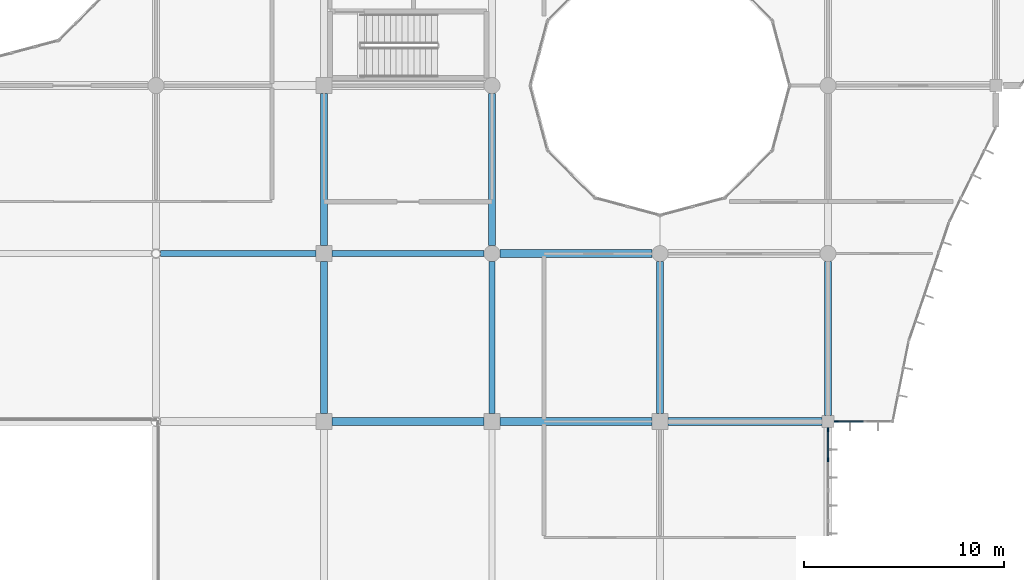
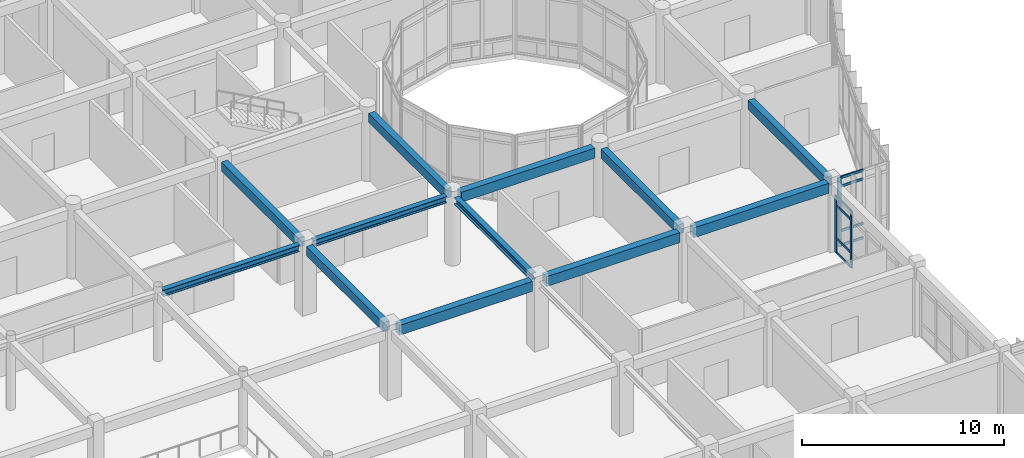
# One storey, part 28 of 144: 12 beams, 11 members, 2 elements without a shape of their own.
"""IFC4 building model written with IfcOpenShell, lengths in metres."""

from ifc_helpers import new_model, si_unit, direction, frame, origin, origin_2d, place, context, subcontext, project, spatial, rectangle, i_section, extrude, material, layer, layer_set, material_profile, profile_set, type_object, element, aggregate, save


model = new_model("IFC4")

# Units and contexts
model_context = context("Model", 3, precision=1e-05, world=origin(), true_north=direction((0.0, 1.0)))
body_context = subcontext(model_context, "Body", "Model", "MODEL_VIEW")
ifc_project = project(units=[si_unit("LENGTHUNIT", "METRE"), si_unit("AREAUNIT", "SQUARE_METRE"), si_unit("VOLUMEUNIT", "CUBIC_METRE"), si_unit("PLANEANGLEUNIT", "RADIAN"), si_unit("MASSUNIT", "GRAM", prefix="KILO")], contexts=[model_context])

# Site, building, storey
site_placement = place(None, origin())
site = spatial("IfcSite", under=ifc_project, at=site_placement, CompositionType="ELEMENT")
building_placement = place(site_placement, origin())
building = spatial("IfcBuilding", under=site, at=building_placement, Name="Bramfleet General Hospital", CompositionType="ELEMENT")
storey_placement = place(building_placement, frame((0.0, 0.0, 4.800048828125)))
storey = spatial("IfcBuildingStorey", under=building, at=storey_placement, Name="L01", CompositionType="ELEMENT", Elevation=4.800048828125)

# Beams
ifc_material_1 = material(Name="Steel S355", Category="steel")
ifc_material_profile_1 = material_profile(ifc_material_1, i_section(OverallWidth=0.300048828125, OverallDepth=0.389892578125, WebThickness=0.010986328125, FlangeThickness=0.01904296875, FilletRadius=0.027099609375, at=origin_2d()), Name="HEA 400")
ifc_profile_set_1 = profile_set([ifc_material_profile_1], Name="Steel S355")
beam_type_1 = type_object("IfcBeamType", Name="BM-HEA400", PredefinedType="BEAM", material=ifc_profile_set_1)
beam_1_placement = place(storey_placement, frame((92.62841796875, 58.800048828125, 3.954833984375), z_axis=(1.0, 0.0, 0.0), x_axis=(0.0, 1.0, 0.0)))
element("IfcBeam", 1, at=beam_1_placement, inside=storey, type_object=beam_type_1, Name="L01 Grid Beam X 11-07", PredefinedType="BEAM", context=body_context, shape_type="SweptSolid", body=[
    extrude(i_section(OverallWidth=0.300048828125, OverallDepth=0.389892578125, WebThickness=0.010986328125, FlangeThickness=0.01904296875, FilletRadius=0.027099609375, at=origin_2d()), origin(), (0.0, 0.0, 1.0), 7.771484375),
])
beam_2_placement = place(storey_placement, frame((101.199951171875, 58.800048828125, 3.954833984375), z_axis=(1.0, 0.0, 0.0), x_axis=(0.0, 1.0, 0.0)))
element("IfcBeam", 2, at=beam_2_placement, inside=storey, type_object=beam_type_1, Name="L01 Grid Beam X 12-07", PredefinedType="BEAM", context=body_context, shape_type="SweptSolid", body=[
    extrude(i_section(OverallWidth=0.300048828125, OverallDepth=0.389892578125, WebThickness=0.010986328125, FlangeThickness=0.01904296875, FilletRadius=0.027099609375, at=origin_2d()), origin(), (0.0, 0.0, 1.0), 7.60009765625),
])
ifc_material_profile_2 = material_profile(ifc_material_1, i_section(OverallWidth=0.300048828125, OverallDepth=0.39990234375, WebThickness=0.013427734375, FlangeThickness=0.02392578125, FilletRadius=0.027099609375, at=origin_2d()), Name="HEB 400")
ifc_profile_set_2 = profile_set([ifc_material_profile_2], Name="Steel S355")
beam_type_2 = type_object("IfcBeamType", Name="BM-HEB400", PredefinedType="BEAM", material=ifc_profile_set_2)
beam_3_placement = place(storey_placement, frame((109.199951171875, 50.800048828125, 3.949951171875), z_axis=(0.0, 1.0, 0.0), x_axis=(-1.0, 0.0, 0.0)))
element("IfcBeam", 3, at=beam_3_placement, inside=storey, type_object=beam_type_2, Name="L01 Grid Beam Y 13-06", PredefinedType="BEAM", context=body_context, shape_type="SweptSolid", body=[
    extrude(i_section(OverallWidth=0.300048828125, OverallDepth=0.39990234375, WebThickness=0.013427734375, FlangeThickness=0.02392578125, FilletRadius=0.027099609375, at=origin_2d()), origin(), (0.0, 0.0, 1.0), 7.599853515625),
])
ifc_material_2 = material(Name="Concrete C35/45", Category="concrete")
ifc_material_profile_3 = material_profile(ifc_material_2, rectangle(XDim=0.35009765625, YDim=0.550048828125, at=origin_2d()), Name="RC BM 550x350")
ifc_profile_set_3 = profile_set([ifc_material_profile_3], Name="Concrete C35/45")
beam_type_3 = type_object("IfcBeamType", Name="BM-RC550", PredefinedType="BEAM", material=ifc_profile_set_3)
beam_4_placement = place(storey_placement, frame((100.800048828125, 50.800048828125, 3.875), z_axis=(0.0, 1.0, 0.0), x_axis=(-1.0, 0.0, 0.0)))
element("IfcBeam", 4, at=beam_4_placement, inside=storey, type_object=beam_type_3, Name="L01 Grid Beam Y 12-06", PredefinedType="BEAM", context=body_context, shape_type="SweptSolid", body=[
    extrude(rectangle(XDim=0.35009765625, YDim=0.550048828125, at=origin_2d()), origin(), (0.0, 0.0, 1.0), 7.599853515625),
])
for number, where, z_axis, x_axis, name in (
    (5, (100.800048828125, 59.199951171875, 3.875), (0.0, 1.0, 0.0), (-1.0, 0.0, 0.0), "L01 Grid Beam Y 12-07"),
    (6, (109.199951171875, 59.199951171875, 3.875), (0.0, 1.0, 0.0), (-1.0, 0.0, 0.0), "L01 Grid Beam Y 13-07"),
):
    element("IfcBeam", number, at=place(storey_placement, frame(where, z_axis=z_axis, x_axis=x_axis)), inside=storey, type_object=beam_type_3, Name=name, PredefinedType="BEAM", context=body_context, shape_type="SweptSolid", body=[
        extrude(rectangle(XDim=0.35009765625, YDim=0.550048828125, at=origin_2d()), origin(), (0.0, 0.0, 1.0), 7.60009765625),
    ])
beam_5_placement = place(storey_placement, frame((117.60009765625, 50.800048828125, 3.875), z_axis=(0.0, 1.0, 0.0), x_axis=(-1.0, 0.0, 0.0)))
element("IfcBeam", 7, at=beam_5_placement, inside=storey, type_object=beam_type_3, Name="L01 Grid Beam Y 14-06", PredefinedType="BEAM", context=body_context, shape_type="SweptSolid", body=[
    extrude(rectangle(XDim=0.35009765625, YDim=0.550048828125, at=origin_2d()), origin(), (0.0, 0.0, 1.0), 7.599853515625),
])
beam_6_placement = place(storey_placement, frame((126.0, 50.699951171875, 3.875), z_axis=(0.0, 1.0, 0.0), x_axis=(-1.0, 0.0, 0.0)))
element("IfcBeam", 8, at=beam_6_placement, inside=storey, type_object=beam_type_3, Name="L01 Grid Beam Y 15-06", PredefinedType="BEAM", context=body_context, shape_type="SweptSolid", body=[
    extrude(rectangle(XDim=0.35009765625, YDim=0.550048828125, at=origin_2d()), origin(), (0.0, 0.0, 1.0), 7.699951171875),
])
ifc_material_profile_4 = material_profile(ifc_material_2, rectangle(XDim=0.39990234375, YDim=0.60009765625, at=origin_2d()), Name="RC BM 600x400")
ifc_profile_set_4 = profile_set([ifc_material_profile_4], Name="Concrete C35/45")
beam_type_4 = type_object("IfcBeamType", Name="BM-RC600", PredefinedType="BEAM", material=ifc_profile_set_4)
beam_7_placement = place(storey_placement, frame((101.199951171875, 50.39990234375, 3.849853515625), z_axis=(1.0, 0.0, 0.0), x_axis=(0.0, 1.0, 0.0)))
element("IfcBeam", 9, at=beam_7_placement, inside=storey, type_object=beam_type_4, Name="L01 Grid Beam X 12-06", PredefinedType="BEAM", context=body_context, shape_type="SweptSolid", body=[
    extrude(rectangle(XDim=0.39990234375, YDim=0.60009765625, at=origin_2d()), origin(), (0.0, 0.0, 1.0), 7.60009765625),
])
for number, where, z_axis, x_axis, name in (
    (10, (109.60009765625, 50.39990234375, 3.849853515625), (1.0, 0.0, 0.0), (0.0, 1.0, 0.0), "L01 Grid Beam X 13-06"),
    (11, (109.60009765625, 58.800048828125, 3.849853515625), (1.0, 0.0, 0.0), (0.0, 1.0, 0.0), "L01 Grid Beam X 13-07"),
):
    element("IfcBeam", number, at=place(storey_placement, frame(where, z_axis=z_axis, x_axis=x_axis)), inside=storey, type_object=beam_type_4, Name=name, PredefinedType="BEAM", context=body_context, shape_type="SweptSolid", body=[
        extrude(rectangle(XDim=0.39990234375, YDim=0.60009765625, at=origin_2d()), origin(), (0.0, 0.0, 1.0), 7.599853515625),
    ])
beam_8_placement = place(storey_placement, frame((118.0, 50.39990234375, 3.849853515625), z_axis=(1.0, 0.0, 0.0), x_axis=(0.0, 1.0, 0.0)))
element("IfcBeam", 12, at=beam_8_placement, inside=storey, type_object=beam_type_4, Name="L01 Grid Beam X 14-06", PredefinedType="BEAM", context=body_context, shape_type="SweptSolid", body=[
    extrude(rectangle(XDim=0.39990234375, YDim=0.60009765625, at=origin_2d()), origin(), (0.0, 0.0, 1.0), 7.699951171875),
])

# Curtain wall, member
ifc_material_3 = material(Name="Anodised aluminium and low-E triple glazing", Category="aluminium")
ifc_layer_1 = layer(ifc_material_3, 0.179931640625, Name="CWT-CW-08")
ifc_layer_set_1 = layer_set([ifc_layer_1], Name="Anodised aluminium and low-E triple glazing")
curtain_wall_type_1 = type_object("IfcCurtainWallType", Name="CWT-CW-08", PredefinedType="USERDEFINED", material=ifc_layer_set_1)
curtain_wall_1_placement = place(storey_placement, origin())
curtain_wall_1 = element("IfcCurtainWall", 13, at=curtain_wall_1_placement, inside=storey, type_object=curtain_wall_type_1, Name="L01 Curtain Wall 62", ObjectType="Unitised curtain wall", PredefinedType="USERDEFINED")
ifc_material_4 = material(Name="Structural timber GL28h", Category="wood")
ifc_material_profile_5 = material_profile(ifc_material_4, rectangle(XDim=0.070068359375, YDim=0.18994140625, at=origin_2d()), Name="LARCH 190x70")
ifc_profile_set_5 = profile_set([ifc_material_profile_5], Name="Structural timber GL28h")
member_type_1 = type_object("IfcMemberType", Name="CWM-LARCH450", PredefinedType="MULLION", material=ifc_profile_set_5)
member_1_placement = place(storey_placement, frame((126.409912109375, 50.39990234375, 0.0), z_axis=(0.0, 0.0, 1.0), x_axis=(0.0, -1.0, 0.0)))
member_1 = element("IfcMember", 14, at=member_1_placement, type_object=member_type_1, Name="CW-08 mullion 3", PredefinedType="MULLION", context=body_context, shape_type="SweptSolid", body=[
    extrude(rectangle(XDim=0.070068359375, YDim=0.18994140625, at=origin_2d()), origin(), (0.0, 0.0, 1.0), 4.139892578125),
])

# Curtain wall, members
ifc_layer_2 = layer(ifc_material_3, 0.179931640625, Name="CWT-CW-09")
ifc_layer_set_2 = layer_set([ifc_layer_2], Name="Anodised aluminium and low-E triple glazing")
curtain_wall_type_2 = type_object("IfcCurtainWallType", Name="CWT-CW-09", PredefinedType="USERDEFINED", material=ifc_layer_set_2)
curtain_wall_2_placement = place(storey_placement, origin())
curtain_wall_2 = element("IfcCurtainWall", 15, at=curtain_wall_2_placement, inside=storey, type_object=curtain_wall_type_2, Name="L01 Curtain Wall 63", ObjectType="Unitised curtain wall", PredefinedType="USERDEFINED")
member_2_placement = place(storey_placement, frame((126.0, 49.989990234375, 0.0), z_axis=(0.0, 0.0, 1.0), x_axis=(1.0, 0.0, 0.0)))
member_2 = element("IfcMember", 16, at=member_2_placement, type_object=member_type_1, Name="CW-09 mullion 1", PredefinedType="MULLION", context=body_context, shape_type="SweptSolid", body=[
    extrude(rectangle(XDim=0.070068359375, YDim=0.18994140625, at=origin_2d()), origin(), (0.0, 0.0, 1.0), 3.43994140625),
])
member_3_placement = place(storey_placement, frame((126.0, 48.4951171875, 0.0), z_axis=(0.0, 0.0, 1.0), x_axis=(1.0, 0.0, 0.0)))
member_3 = element("IfcMember", 17, at=member_3_placement, type_object=member_type_1, Name="CW-09 mullion 2", PredefinedType="MULLION", context=body_context, shape_type="SweptSolid", body=[
    extrude(rectangle(XDim=0.070068359375, YDim=0.18994140625, at=origin_2d()), origin(), (0.0, 0.0, 1.0), 3.43994140625),
])

# Member
ifc_material_profile_6 = material_profile(ifc_material_4, rectangle(XDim=0.06494140625, YDim=0.14990234375, at=origin_2d()), Name="LARCH 150x65")
ifc_profile_set_6 = profile_set([ifc_material_profile_6], Name="Structural timber GL28h")
member_type_2 = type_object("IfcMemberType", Name="CWT-LARCH220", PredefinedType="USERDEFINED", material=ifc_profile_set_6)
member_4_placement = place(storey_placement, frame((127.77001953125, 50.39990234375, 0.032470703125), z_axis=(-1.0, 0.0, 0.0), x_axis=(0.0, -1.0, 0.0)))
member_4 = element("IfcMember", 18, at=member_4_placement, type_object=member_type_2, Name="CW-08 transom 2.1", ObjectType="TRANSOM", PredefinedType="USERDEFINED", context=body_context, shape_type="SweptSolid", body=[
    extrude(rectangle(XDim=0.06494140625, YDim=0.14990234375, at=origin_2d()), origin(), (0.0, 0.0, 1.0), 1.324951171875),
])

member_5_placement = place(storey_placement, frame((127.77001953125, 50.39990234375, 0.89990234375), z_axis=(-1.0, 0.0, 0.0), x_axis=(0.0, -1.0, 0.0)))
member_5 = element("IfcMember", 19, at=member_5_placement, type_object=member_type_2, Name="CW-08 transom 2.2", ObjectType="TRANSOM", PredefinedType="USERDEFINED", context=body_context, shape_type="SweptSolid", body=[
    extrude(rectangle(XDim=0.06494140625, YDim=0.14990234375, at=origin_2d()), origin(), (0.0, 0.0, 1.0), 1.324951171875),
])

member_6_placement = place(storey_placement, frame((127.77001953125, 50.39990234375, 3.58984375), z_axis=(-1.0, 0.0, 0.0), x_axis=(0.0, -1.0, 0.0)))
member_6 = element("IfcMember", 20, at=member_6_placement, type_object=member_type_2, Name="CW-08 transom 2.3", ObjectType="TRANSOM", PredefinedType="USERDEFINED", context=body_context, shape_type="SweptSolid", body=[
    extrude(rectangle(XDim=0.06494140625, YDim=0.14990234375, at=origin_2d()), origin(), (0.0, 0.0, 1.0), 1.324951171875),
])

member_7_placement = place(storey_placement, frame((127.77001953125, 50.39990234375, 4.107421875), z_axis=(-1.0, 0.0, 0.0), x_axis=(0.0, -1.0, 0.0)))
member_7 = element("IfcMember", 21, at=member_7_placement, type_object=member_type_2, Name="CW-08 transom 2.4", ObjectType="TRANSOM", PredefinedType="USERDEFINED", context=body_context, shape_type="SweptSolid", body=[
    extrude(rectangle(XDim=0.06494140625, YDim=0.14990234375, at=origin_2d()), origin(), (0.0, 0.0, 1.0), 1.324951171875),
])

aggregate(curtain_wall_1, [member_1, member_4, member_5, member_6, member_7])

member_8_placement = place(storey_placement, frame((126.0, 49.955078125, 0.032470703125), z_axis=(0.0, -1.0, 0.0), x_axis=(1.0, 0.0, 0.0)))
member_8 = element("IfcMember", 22, at=member_8_placement, type_object=member_type_2, Name="CW-09 transom 1.1", ObjectType="TRANSOM", PredefinedType="USERDEFINED", context=body_context, shape_type="SweptSolid", body=[
    extrude(rectangle(XDim=0.06494140625, YDim=0.14990234375, at=origin_2d()), origin(), (0.0, 0.0, 1.0), 1.425048828125),
])

member_9_placement = place(storey_placement, frame((126.0, 49.955078125, 0.89990234375), z_axis=(0.0, -1.0, 0.0), x_axis=(1.0, 0.0, 0.0)))
member_9 = element("IfcMember", 23, at=member_9_placement, type_object=member_type_2, Name="CW-09 transom 1.2", ObjectType="TRANSOM", PredefinedType="USERDEFINED", context=body_context, shape_type="SweptSolid", body=[
    extrude(rectangle(XDim=0.06494140625, YDim=0.14990234375, at=origin_2d()), origin(), (0.0, 0.0, 1.0), 1.425048828125),
])

member_10_placement = place(storey_placement, frame((126.0, 49.955078125, 2.889892578125), z_axis=(0.0, -1.0, 0.0), x_axis=(1.0, 0.0, 0.0)))
member_10 = element("IfcMember", 24, at=member_10_placement, type_object=member_type_2, Name="CW-09 transom 1.3", ObjectType="TRANSOM", PredefinedType="USERDEFINED", context=body_context, shape_type="SweptSolid", body=[
    extrude(rectangle(XDim=0.06494140625, YDim=0.14990234375, at=origin_2d()), origin(), (0.0, 0.0, 1.0), 1.425048828125),
])

member_11_placement = place(storey_placement, frame((126.0, 49.955078125, 3.407470703125), z_axis=(0.0, -1.0, 0.0), x_axis=(1.0, 0.0, 0.0)))
member_11 = element("IfcMember", 25, at=member_11_placement, type_object=member_type_2, Name="CW-09 transom 1.4", ObjectType="TRANSOM", PredefinedType="USERDEFINED", context=body_context, shape_type="SweptSolid", body=[
    extrude(rectangle(XDim=0.06494140625, YDim=0.14990234375, at=origin_2d()), origin(), (0.0, 0.0, 1.0), 1.425048828125),
])

aggregate(curtain_wall_2, [member_2, member_3, member_8, member_9, member_10, member_11])

save(model, "model.ifc")
